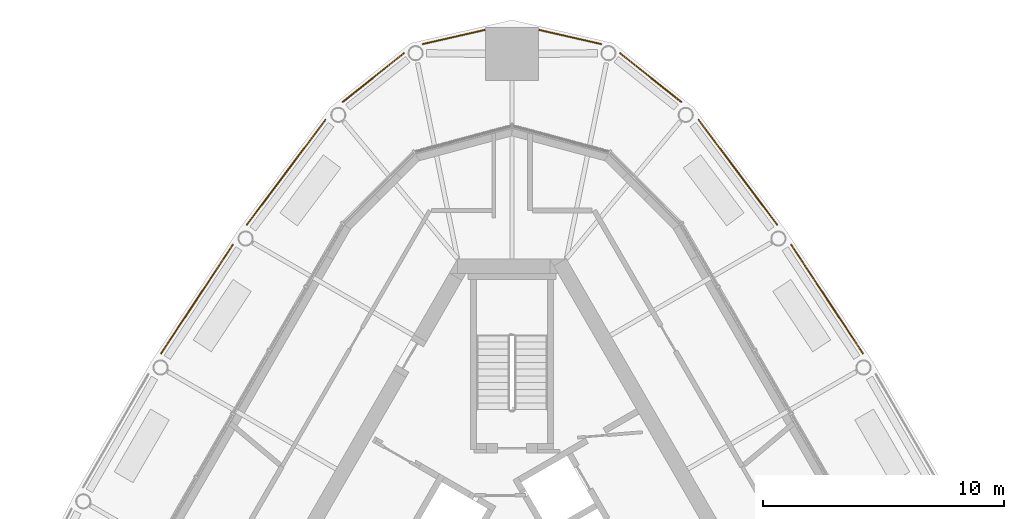
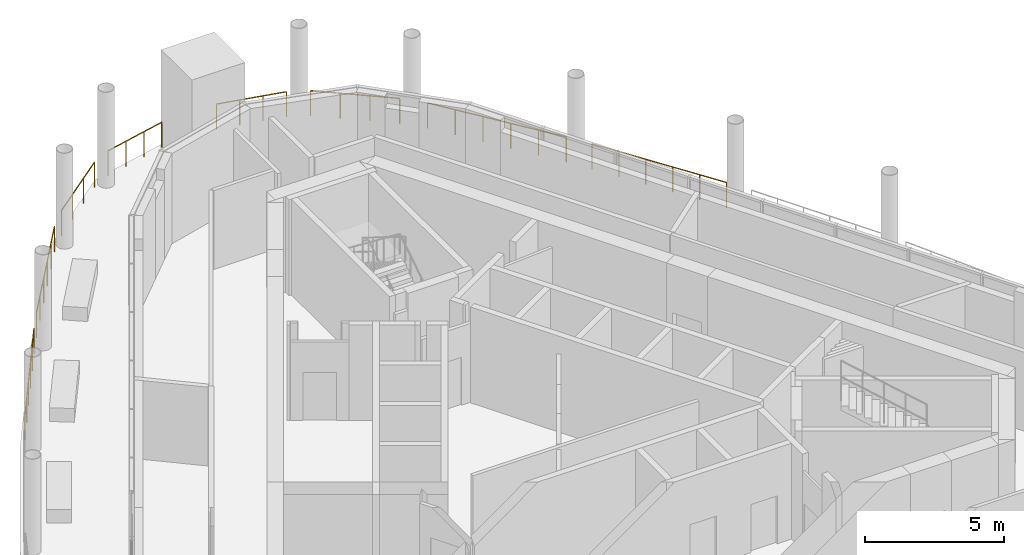
# One storey, part 14 of 15: 8 railings.
"""IFC4 building model written with IfcOpenShell, lengths in metres."""

from ifc_helpers import new_model, si_unit, direction, frame, origin, origin_2d, place, context, subcontext, project, spatial, circle, extrude, material, type_object, element, save


model = new_model("IFC4")

# Units and contexts
model_context = context("Model", 3, precision=1e-05, world=origin(), true_north=direction((0.0, 1.0)))
body_context = subcontext(model_context, "Body", "Model", "MODEL_VIEW")
ifc_project = project(units=[si_unit("LENGTHUNIT", "METRE"), si_unit("AREAUNIT", "SQUARE_METRE"), si_unit("VOLUMEUNIT", "CUBIC_METRE"), si_unit("PLANEANGLEUNIT", "RADIAN"), si_unit("MASSUNIT", "GRAM", prefix="KILO")], contexts=[model_context])

# Site, building, storey
site_placement = place(None, origin())
site = spatial("IfcSite", under=ifc_project, at=site_placement, CompositionType="ELEMENT")
building_placement = place(site_placement, origin())
building = spatial("IfcBuilding", under=site, at=building_placement, Name="Mestral Congress Tower", CompositionType="ELEMENT")
storey_placement = place(building_placement, frame((0.0, 0.0, 327.60009765625)))
storey = spatial("IfcBuildingStorey", under=building, at=storey_placement, Name="L76", CompositionType="ELEMENT", Elevation=327.60009765625)

# Railings
ifc_material = material(Name="Stainless steel", Category="steel")
railing_type = type_object("IfcRailingType", Name="Facade guard 1120 steel and glass", PredefinedType="GUARDRAIL", material=ifc_material)
railing_1_placement = place(storey_placement, frame((14.532958984375, 12.67822265625, 0.0)))
element("IfcRailing", 1, at=railing_1_placement, inside=storey, type_object=railing_type, Name="Terrace guard F1-03", PredefinedType="GUARDRAIL", context=body_context, shape_type="SweptSolid", body=[
    extrude(circle(Radius=0.02392578125, at=origin_2d()), frame((0.0, 0.0, 1.09619140625), z_axis=(-0.550733351289, 0.834681242019, 0.0), x_axis=(-0.834681242019, -0.550733351289, 0.0)), (0.0, 0.0, 1.0), 5.405517578125),
    extrude(circle(Radius=0.02099609375, at=origin_2d()), origin(), (0.0, 0.0, 1.0), 1.072021484375),
    extrude(circle(Radius=0.02099609375, at=origin_2d()), frame((-0.595458984375, 0.90234375, 0.0)), (0.0, 0.0, 1.0), 1.072021484375),
    extrude(circle(Radius=0.02099609375, at=origin_2d()), frame((-1.19091796875, 1.8046875, 0.0)), (0.0, 0.0, 1.0), 1.072021484375),
    extrude(circle(Radius=0.02099609375, at=origin_2d()), frame((-1.7861328125, 2.707275390625, 0.0)), (0.0, 0.0, 1.0), 1.072021484375),
    extrude(circle(Radius=0.02099609375, at=origin_2d()), frame((-2.381591796875, 3.609619140625, 0.0)), (0.0, 0.0, 1.0), 1.072021484375),
    extrude(circle(Radius=0.02099609375, at=origin_2d()), frame((-2.97705078125, 4.511962890625, 0.0)), (0.0, 0.0, 1.0), 1.072021484375),
])
railing_2_placement = place(storey_placement, frame((10.974365234375, 18.016845703125, 0.0)))
element("IfcRailing", 2, at=railing_2_placement, inside=storey, type_object=railing_type, Name="Terrace guard F1-04", PredefinedType="GUARDRAIL", context=body_context, shape_type="SweptSolid", body=[
    extrude(circle(Radius=0.02392578125, at=origin_2d()), frame((0.0, 0.0, 1.09619140625), z_axis=(-0.599538231308, 0.800346118377, 0.0), x_axis=(-0.800346118377, -0.599538231308, 0.0)), (0.0, 0.0, 1.0), 5.4150390625),
    extrude(circle(Radius=0.02099609375, at=origin_2d()), origin(), (0.0, 0.0, 1.0), 1.072021484375),
    extrude(circle(Radius=0.02099609375, at=origin_2d()), frame((-0.6494140625, 0.86669921875, 0.0)), (0.0, 0.0, 1.0), 1.072021484375),
    extrude(circle(Radius=0.02099609375, at=origin_2d()), frame((-1.298583984375, 1.733642578125, 0.0)), (0.0, 0.0, 1.0), 1.072021484375),
    extrude(circle(Radius=0.02099609375, at=origin_2d()), frame((-1.947998046875, 2.600341796875, 0.0)), (0.0, 0.0, 1.0), 1.072021484375),
    extrude(circle(Radius=0.02099609375, at=origin_2d()), frame((-2.59716796875, 3.46728515625, 0.0)), (0.0, 0.0, 1.0), 1.072021484375),
    extrude(circle(Radius=0.02099609375, at=origin_2d()), frame((-3.24658203125, 4.333984375, 0.0)), (0.0, 0.0, 1.0), 1.072021484375),
])
railing_3_placement = place(storey_placement, frame((7.00537109375, 23.096435546875, 0.0)))
element("IfcRailing", 3, at=railing_3_placement, inside=storey, type_object=railing_type, Name="Terrace guard K1-0", PredefinedType="GUARDRAIL", context=body_context, shape_type="SweptSolid", body=[
    extrude(circle(Radius=0.02392578125, at=origin_2d()), frame((0.0, 0.0, 1.09619140625), z_axis=(-0.781626234064, 0.623747088349, 0.0), x_axis=(-0.623747088349, -0.781626234064, 0.0)), (0.0, 0.0, 1.0), 3.236572265625),
    extrude(circle(Radius=0.02099609375, at=origin_2d()), origin(), (0.0, 0.0, 1.0), 1.072021484375),
    extrude(circle(Radius=0.02099609375, at=origin_2d()), frame((-0.84326171875, 0.6728515625, 0.0)), (0.0, 0.0, 1.0), 1.072021484375),
    extrude(circle(Radius=0.02099609375, at=origin_2d()), frame((-1.6865234375, 1.345947265625, 0.0)), (0.0, 0.0, 1.0), 1.072021484375),
    extrude(circle(Radius=0.02099609375, at=origin_2d()), frame((-2.52978515625, 2.018798828125, 0.0)), (0.0, 0.0, 1.0), 1.072021484375),
])
railing_4_placement = place(storey_placement, frame((3.692626953125, 25.492431640625, 0.0)))
element("IfcRailing", 4, at=railing_4_placement, inside=storey, type_object=railing_type, Name="Terrace guard K1-1", PredefinedType="GUARDRAIL", context=body_context, shape_type="SweptSolid", body=[
    extrude(circle(Radius=0.02392578125, at=origin_2d()), frame((0.0, 0.0, 1.09619140625), z_axis=(-0.974893102282, 0.222673391141, 0.0), x_axis=(-0.222673391141, -0.974893102282, 0.0)), (0.0, 0.0, 1.0), 2.626953125),
    extrude(circle(Radius=0.02099609375, at=origin_2d()), origin(), (0.0, 0.0, 1.0), 1.072021484375),
    extrude(circle(Radius=0.02099609375, at=origin_2d()), frame((-0.853759765625, 0.195068359375, 0.0)), (0.0, 0.0, 1.0), 1.072021484375),
    extrude(circle(Radius=0.02099609375, at=origin_2d()), frame((-1.707275390625, 0.389892578125, 0.0)), (0.0, 0.0, 1.0), 1.072021484375),
    extrude(circle(Radius=0.02099609375, at=origin_2d()), frame((-2.56103515625, 0.5849609375, 0.0)), (0.0, 0.0, 1.0), 1.072021484375),
])
railing_5_placement = place(storey_placement, frame((-1.131591796875, 26.077392578125, 0.0)))
element("IfcRailing", 5, at=railing_5_placement, inside=storey, type_object=railing_type, Name="Terrace guard K1-2", PredefinedType="GUARDRAIL", context=body_context, shape_type="SweptSolid", body=[
    extrude(circle(Radius=0.02392578125, at=origin_2d()), frame((0.0, 0.0, 1.09619140625), z_axis=(-0.974893102282, -0.222673391141, 0.0), x_axis=(0.222673391141, -0.974893102282, 0.0)), (0.0, 0.0, 1.0), 2.626953125),
    extrude(circle(Radius=0.02099609375, at=origin_2d()), origin(), (0.0, 0.0, 1.0), 1.072021484375),
    extrude(circle(Radius=0.02099609375, at=origin_2d()), frame((-0.853759765625, -0.195068359375, 0.0)), (0.0, 0.0, 1.0), 1.072021484375),
    extrude(circle(Radius=0.02099609375, at=origin_2d()), frame((-1.707275390625, -0.389892578125, 0.0)), (0.0, 0.0, 1.0), 1.072021484375),
    extrude(circle(Radius=0.02099609375, at=origin_2d()), frame((-2.56103515625, -0.5849609375, 0.0)), (0.0, 0.0, 1.0), 1.072021484375),
])
railing_6_placement = place(storey_placement, frame((-4.4755859375, 25.115234375, 0.0)))
element("IfcRailing", 6, at=railing_6_placement, inside=storey, type_object=railing_type, Name="Terrace guard K1-3", PredefinedType="GUARDRAIL", context=body_context, shape_type="SweptSolid", body=[
    extrude(circle(Radius=0.02392578125, at=origin_2d()), frame((0.0, 0.0, 1.09619140625), z_axis=(-0.781626234064, -0.623747088349, 0.0), x_axis=(0.623747088349, -0.781626234064, 0.0)), (0.0, 0.0, 1.0), 3.236572265625),
    extrude(circle(Radius=0.02099609375, at=origin_2d()), origin(), (0.0, 0.0, 1.0), 1.072021484375),
    extrude(circle(Radius=0.02099609375, at=origin_2d()), frame((-0.84326171875, -0.6728515625, 0.0)), (0.0, 0.0, 1.0), 1.072021484375),
    extrude(circle(Radius=0.02099609375, at=origin_2d()), frame((-1.6865234375, -1.345947265625, 0.0)), (0.0, 0.0, 1.0), 1.072021484375),
    extrude(circle(Radius=0.02099609375, at=origin_2d()), frame((-2.52978515625, -2.018798828125, 0.0)), (0.0, 0.0, 1.0), 1.072021484375),
])
railing_7_placement = place(storey_placement, frame((-7.727783203125, 22.350830078125, 0.0)))
element("IfcRailing", 7, at=railing_7_placement, inside=storey, type_object=railing_type, Name="Terrace guard F2-00", PredefinedType="GUARDRAIL", context=body_context, shape_type="SweptSolid", body=[
    extrude(circle(Radius=0.02392578125, at=origin_2d()), frame((0.0, 0.0, 1.09619140625), z_axis=(-0.599538231308, -0.800346118377, 0.0), x_axis=(0.800346118377, -0.599538231308, 0.0)), (0.0, 0.0, 1.0), 5.4150390625),
    extrude(circle(Radius=0.02099609375, at=origin_2d()), origin(), (0.0, 0.0, 1.0), 1.072021484375),
    extrude(circle(Radius=0.02099609375, at=origin_2d()), frame((-0.6494140625, -0.86669921875, 0.0)), (0.0, 0.0, 1.0), 1.072021484375),
    extrude(circle(Radius=0.02099609375, at=origin_2d()), frame((-1.298583984375, -1.733642578125, 0.0)), (0.0, 0.0, 1.0), 1.072021484375),
    extrude(circle(Radius=0.02099609375, at=origin_2d()), frame((-1.947998046875, -2.600341796875, 0.0)), (0.0, 0.0, 1.0), 1.072021484375),
    extrude(circle(Radius=0.02099609375, at=origin_2d()), frame((-2.59716796875, -3.46728515625, 0.0)), (0.0, 0.0, 1.0), 1.072021484375),
    extrude(circle(Radius=0.02099609375, at=origin_2d()), frame((-3.24658203125, -4.333984375, 0.0)), (0.0, 0.0, 1.0), 1.072021484375),
])
railing_8_placement = place(storey_placement, frame((-11.555908203125, 17.190185546875, 0.0)))
element("IfcRailing", 8, at=railing_8_placement, inside=storey, type_object=railing_type, Name="Terrace guard F2-01", PredefinedType="GUARDRAIL", context=body_context, shape_type="SweptSolid", body=[
    extrude(circle(Radius=0.02392578125, at=origin_2d()), frame((0.0, 0.0, 1.09619140625), z_axis=(-0.550733351289, -0.834681242019, 0.0), x_axis=(0.834681242019, -0.550733351289, 0.0)), (0.0, 0.0, 1.0), 5.405517578125),
    extrude(circle(Radius=0.02099609375, at=origin_2d()), origin(), (0.0, 0.0, 1.0), 1.072021484375),
    extrude(circle(Radius=0.02099609375, at=origin_2d()), frame((-0.595458984375, -0.90234375, 0.0)), (0.0, 0.0, 1.0), 1.072021484375),
    extrude(circle(Radius=0.02099609375, at=origin_2d()), frame((-1.19091796875, -1.8046875, 0.0)), (0.0, 0.0, 1.0), 1.072021484375),
    extrude(circle(Radius=0.02099609375, at=origin_2d()), frame((-1.7861328125, -2.707275390625, 0.0)), (0.0, 0.0, 1.0), 1.072021484375),
    extrude(circle(Radius=0.02099609375, at=origin_2d()), frame((-2.381591796875, -3.609619140625, 0.0)), (0.0, 0.0, 1.0), 1.072021484375),
    extrude(circle(Radius=0.02099609375, at=origin_2d()), frame((-2.97705078125, -4.511962890625, 0.0)), (0.0, 0.0, 1.0), 1.072021484375),
])

save(model, "model.ifc")
